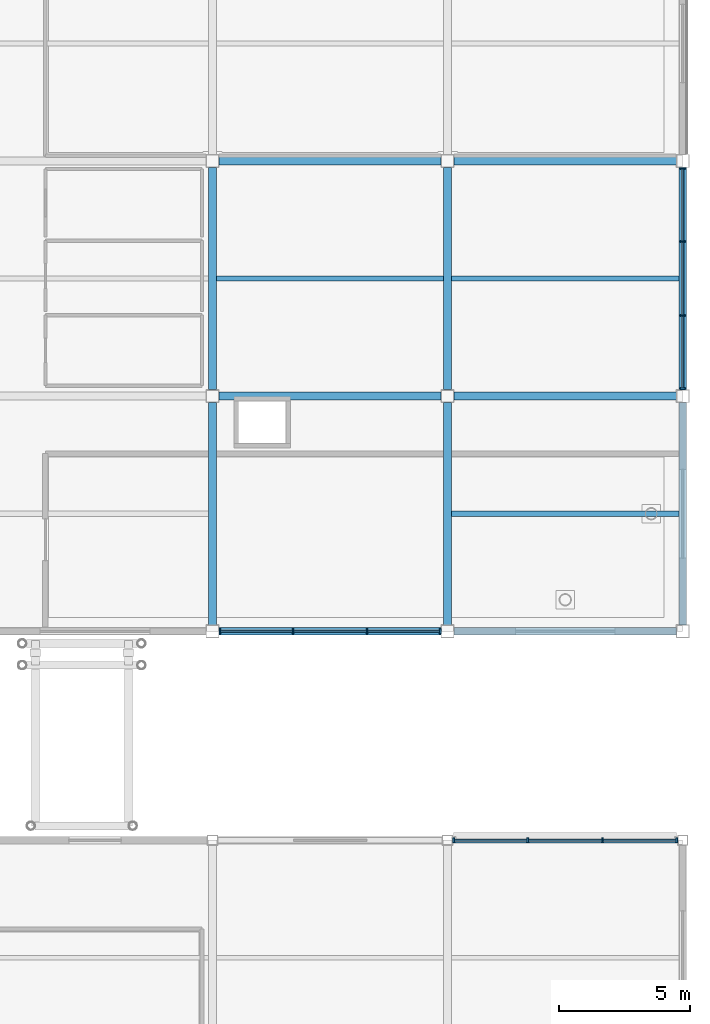
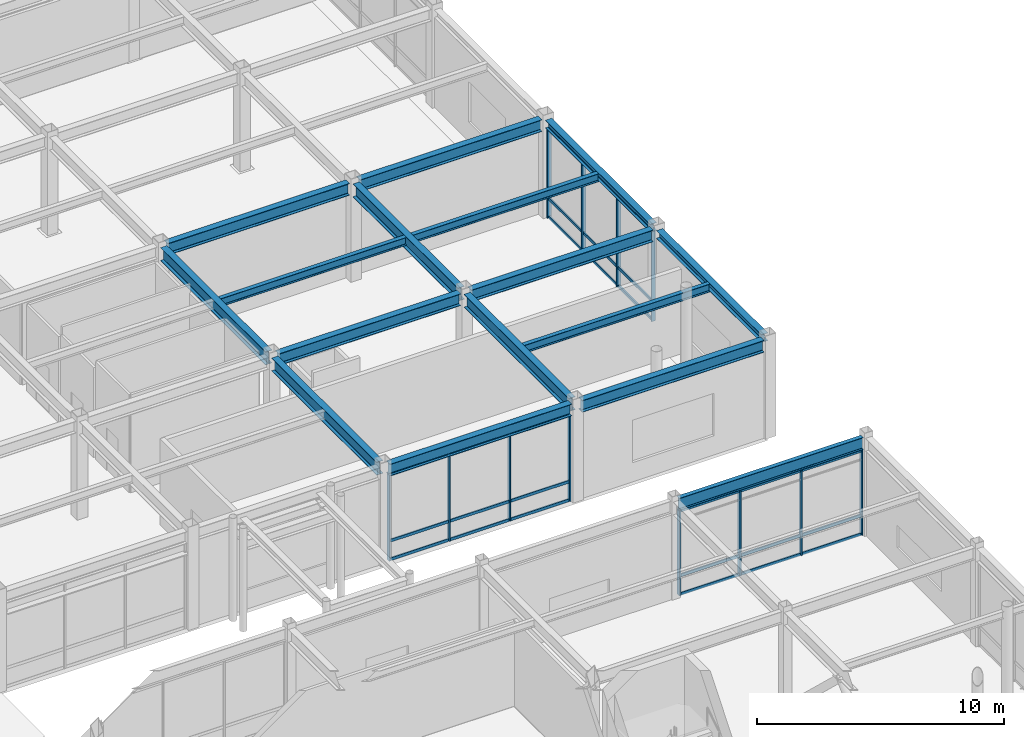
# One storey, part 59 of 123: 39 members, 16 beams, 3 elements without a shape of their own.
"""IFC4 building model written with IfcOpenShell, lengths in metres."""

import ifcopenshell
import ifcopenshell.guid

model = None  # the IFC model being written
_history = None  # IfcOwnerHistory: only IFC2X3 demands one
_inside = {}  # id of a spatial element -> (the spatial element, [elements in it])
_under = {}  # id of a project, library or spatial element -> (it, [spatial elements below it])
_declared = {}  # id of a project -> (the project, [libraries it declares])
_typed = {}  # id of a type object -> (the type object, [elements of that type])
_made_of = {}  # id of a material, layer set ... -> (it, [elements and type objects made of it])


def new_model(schema):
    """Start an empty IFC model of exactly this schema.

    Asked for "IFC4X3", IfcOpenShell would pick the latest addendum, in which some entities
    have other attributes; the version numbers below select the first issue.
    IFC2X3 requires an IfcOwnerHistory on every rooted entity: one is made here for all.
    """
    global model, _history
    if schema == "IFC4X3":
        model = ifcopenshell.file(schema_version=(4, 3, 0, 0))
    else:
        model = ifcopenshell.file(schema=schema)
    _inside.clear()
    _under.clear()
    _declared.clear()
    _typed.clear()
    _made_of.clear()
    _history = None
    if model.schema == "IFC2X3":
        org = make("IfcOrganization", Name="unknown")
        user = make(
            "IfcPersonAndOrganization",
            ThePerson=make("IfcPerson", FamilyName="unknown"),
            TheOrganization=org,
        )
        app = make(
            "IfcApplication",
            ApplicationDeveloper=org,
            Version="unknown",
            ApplicationFullName="unknown",
            ApplicationIdentifier="unknown",
        )
        _history = make(
            "IfcOwnerHistory",
            OwningUser=user,
            OwningApplication=app,
            ChangeAction="ADDED",
            CreationDate=0,
        )
    return model


def make(cls, **values):
    """One entity of the class cls with the attributes given. An attribute that is None is left unset."""
    return model.create_entity(
        cls, **{name: value for name, value in values.items() if value is not None}
    )


def rooted(cls, **values):
    """An entity with a GlobalId (a new one), such as an element, a storey or a relation."""
    return make(cls, GlobalId=ifcopenshell.guid.new(), OwnerHistory=_history, **values)


def si_unit(unit_type, name, prefix=None):
    """IfcSIUnit, for example si_unit("LENGTHUNIT", "METRE", prefix="MILLI")."""
    return make("IfcSIUnit", UnitType=unit_type, Prefix=prefix, Name=name)


def assignment(units):
    """IfcUnitAssignment: the units of a project."""
    return None if units is None else make("IfcUnitAssignment", Units=units)


def point(xyz):
    """IfcCartesianPoint."""
    return None if xyz is None else make("IfcCartesianPoint", Coordinates=xyz)


def direction(xyz):
    """IfcDirection."""
    return None if xyz is None else make("IfcDirection", DirectionRatios=xyz)


def frame(location, z_axis=None, x_axis=None):
    """IfcAxis2Placement3D, a coordinate frame: its origin and axes. An axis left out is left unset."""
    return make(
        "IfcAxis2Placement3D",
        Location=point(location),
        Axis=direction(z_axis),
        RefDirection=direction(x_axis),
    )


def frame_2d(location, x_axis=None):
    """IfcAxis2Placement2D, a coordinate frame in the plane: its origin and x axis."""
    return make(
        "IfcAxis2Placement2D", Location=point(location), RefDirection=direction(x_axis)
    )


def origin():
    """The frame at (0, 0, 0) with its axes left unset."""
    return frame((0.0, 0.0, 0.0))


def origin_2d():
    """The frame at (0, 0) in the plane with its x axis left unset."""
    return frame_2d((0.0, 0.0))


def place(relative_to, where):
    """IfcLocalPlacement: puts the frame where relative to a parent placement (None: the world)."""
    return make(
        "IfcLocalPlacement", PlacementRelTo=relative_to, RelativePlacement=where
    )


def context(
    kind, dimensions, precision=None, world=None, true_north=None, identifier=None
):
    """IfcGeometricRepresentationContext, for example the 3D "Model" context."""
    return make(
        "IfcGeometricRepresentationContext",
        ContextIdentifier=identifier,
        ContextType=kind,
        CoordinateSpaceDimension=dimensions,
        Precision=precision,
        WorldCoordinateSystem=world,
        TrueNorth=true_north,
    )


def subcontext(parent, identifier, kind, view, scale=None):
    """IfcGeometricRepresentationSubContext, for example "Body" below "Model"."""
    return make(
        "IfcGeometricRepresentationSubContext",
        ContextIdentifier=identifier,
        ContextType=kind,
        ParentContext=parent,
        TargetScale=scale,
        TargetView=view,
    )


def project(units=None, contexts=None):
    """IfcProject with its units and contexts."""
    return rooted(
        "IfcProject",
        Name="project",
        RepresentationContexts=contexts,
        UnitsInContext=assignment(units),
    )


def spatial(cls, under=None, at=None, **own):
    """A site, building, storey or space (cls), placed at a placement, below another one or the project."""
    s = rooted(cls, ObjectPlacement=at, **own)
    if under is not None:
        _under.setdefault(under.id(), (under, []))[1].append(s)
    return s


def profile(cls, at=None, kind="AREA", **sizes):
    """A parametric profile (cls). Its sizes go by their IFC names, for example OverallWidth=200.0."""
    return make(cls, ProfileType=kind, Position=at, **sizes)


def rectangle(**sizes):
    """IfcRectangleProfileDef."""
    return profile("IfcRectangleProfileDef", **sizes)


def i_section(**sizes):
    """IfcIShapeProfileDef."""
    return profile("IfcIShapeProfileDef", **sizes)


def extrude(swept, where, along, depth):
    """IfcExtrudedAreaSolid: the profile swept, set in the frame where, extruded along a direction by depth."""
    return make(
        "IfcExtrudedAreaSolid",
        SweptArea=swept,
        Position=where,
        ExtrudedDirection=direction(along),
        Depth=depth,
    )


def shape(context_of_items, identifier, shape_type, items):
    """IfcShapeRepresentation: the items that make up one representation, for example the "Body"."""
    return make(
        "IfcShapeRepresentation",
        ContextOfItems=context_of_items,
        RepresentationIdentifier=identifier,
        RepresentationType=shape_type,
        Items=items,
    )


def material(Name=None, Category=None):
    """IfcMaterial."""
    return make("IfcMaterial", Name=Name, Category=Category)


def material_profile(
    of_material, cross_section, Name=None, Category=None, Priority=None
):
    """IfcMaterialProfile: a cross section and its material."""
    return make(
        "IfcMaterialProfile",
        Name=Name,
        Material=of_material,
        Profile=cross_section,
        Priority=Priority,
        Category=Category,
    )


def profile_set(profiles, Name=None, composite=None):
    """IfcMaterialProfileSet."""
    return make(
        "IfcMaterialProfileSet",
        Name=Name,
        MaterialProfiles=profiles,
        CompositeProfile=composite,
    )


def made_of(thing, what):
    """Note that an element or type object is made of a material, layer set ...; save() writes the relation."""
    if what is not None:
        _made_of.setdefault(what.id(), (what, []))[1].append(thing)
    return thing


def type_object(cls, material=None, **own):
    """A type object (cls), such as IfcWallType, which elements share."""
    return made_of(rooted(cls, **own), material)


def element(
    cls,
    number,
    at=None,
    inside=None,
    cuts=None,
    type_object=None,
    material=None,
    context=None,
    identifier="Body",
    shape_type=None,
    held_by="IfcProductDefinitionShape",
    body=None,
    shapes=None,
    **own,
):
    """One element of the class cls, such as IfcWall. Its Tag is "e" and its number.

    at: its placement. inside: the storey or other place that contains it. cuts: it is an
    opening in that element (IfcRelVoidsElement). A single representation is given by context,
    identifier, shape_type and body (its items); several are given by shapes. held_by: the class
    of the entity that holds the representations. save() writes the other relations.
    """
    e = rooted(cls, Tag="e%d" % number, ObjectPlacement=at, **own)
    if body is not None:
        shapes = [shape(context, identifier, shape_type, body)]
    if shapes is not None:
        e.Representation = make(held_by, Representations=shapes)
    if inside is not None:
        _inside.setdefault(inside.id(), (inside, []))[1].append(e)
    if cuts is not None:
        rooted(
            "IfcRelVoidsElement", RelatingBuildingElement=cuts, RelatedOpeningElement=e
        )
    if type_object is not None:
        _typed.setdefault(type_object.id(), (type_object, []))[1].append(e)
    return made_of(e, material)


def aggregate(whole, parts):
    """IfcRelAggregates: a whole, such as a stair, and the parts it consists of."""
    return rooted("IfcRelAggregates", RelatingObject=whole, RelatedObjects=parts)


def save(model, path):
    """Write the relations noted so far, then the file.

    IfcRelAggregates (storeys below a building ...), IfcRelContainedInSpatialStructure (elements
    in a storey), IfcRelDefinesByType, IfcRelAssociatesMaterial and IfcRelDeclares: one each for
    every whole, place, type object, material and project.
    """
    for whole, parts in _under.values():
        aggregate(whole, parts)
    for where, things in _inside.values():
        rooted(
            "IfcRelContainedInSpatialStructure",
            RelatedElements=things,
            RelatingStructure=where,
        )
    for kind, things in _typed.values():
        rooted("IfcRelDefinesByType", RelatedObjects=things, RelatingType=kind)
    for what, things in _made_of.values():
        rooted("IfcRelAssociatesMaterial", RelatedObjects=things, RelatingMaterial=what)
    for by, libraries in _declared.values():
        rooted("IfcRelDeclares", RelatingContext=by, RelatedDefinitions=libraries)
    model.write(path)


model = new_model("IFC4")

# Units and contexts
model_context = context("Model", 3, precision=1e-05, world=origin(), true_north=direction((0.0, 1.0)))
body_context = subcontext(model_context, "Body", "Model", "MODEL_VIEW")
ifc_project = project(units=[si_unit("LENGTHUNIT", "METRE"), si_unit("AREAUNIT", "SQUARE_METRE"), si_unit("VOLUMEUNIT", "CUBIC_METRE"), si_unit("PLANEANGLEUNIT", "RADIAN"), si_unit("MASSUNIT", "GRAM", prefix="KILO")], contexts=[model_context])

# Site, building, storey
site_placement = place(None, origin())
site = spatial("IfcSite", under=ifc_project, at=site_placement, CompositionType="ELEMENT")
building_placement = place(site_placement, origin())
building = spatial("IfcBuilding", under=site, at=building_placement, Name="Suzunagisa Mobility Hub", CompositionType="ELEMENT")
storey_placement = place(building_placement, origin())
storey = spatial("IfcBuildingStorey", under=building, at=storey_placement, Name="L00", CompositionType="ELEMENT", Elevation=0.0)

# Curtain wall, members
ifc_material_1 = material(Name="Thermally Broken Anodized Aluminum and Low-E Glazing", Category="aluminium")
curtain_wall_type_1 = type_object("IfcCurtainWallType", Name="Unitised Curtain Wall CW-32 8500x4200", PredefinedType="USERDEFINED", material=ifc_material_1)
curtain_wall_1_placement = place(storey_placement, origin())
curtain_wall_1 = element("IfcCurtainWall", 1, at=curtain_wall_1_placement, inside=storey, type_object=curtain_wall_type_1, Name="L00 Unitised Curtain Wall CW-147", ObjectType="UNITISED CURTAIN WALL", PredefinedType="USERDEFINED")
ifc_material_2 = material(Name="Anodized Aluminum 6063-T6", Category="aluminium")
ifc_material_profile_1 = material_profile(ifc_material_2, rectangle(XDim=0.06494140625, YDim=0.139892578125, at=origin_2d()), Name="TRAN-65x140")
ifc_profile_set_1 = profile_set([ifc_material_profile_1], Name="Anodized Aluminum 6063-T6")
member_type_1 = type_object("IfcMemberType", Name="Curtain Wall Framing CM-01 TRAN-65x140", PredefinedType="USERDEFINED", material=ifc_profile_set_1)
member_1_placement = place(storey_placement, frame((179.737060546875, 36.0, 0.032470703125), z_axis=(-1.0, 0.0, 0.0), x_axis=(0.0, -1.0, 0.0)))
member_1 = element("IfcMember", 2, at=member_1_placement, type_object=member_type_1, Name="Curtain Wall Transom 147-T1.1", ObjectType="TRANSOM", PredefinedType="USERDEFINED", context=body_context, shape_type="SweptSolid", body=[
    extrude(rectangle(XDim=0.06494140625, YDim=0.139892578125, at=origin_2d()), origin(), (0.0, 0.0, 1.0), 2.773193359375),
])
member_2_placement = place(storey_placement, frame((179.737060546875, 36.0, 0.949951171875), z_axis=(-1.0, 0.0, 0.0), x_axis=(0.0, -1.0, 0.0)))
member_2 = element("IfcMember", 3, at=member_2_placement, type_object=member_type_1, Name="Curtain Wall Transom 147-T1.2", ObjectType="TRANSOM", PredefinedType="USERDEFINED", context=body_context, shape_type="SweptSolid", body=[
    extrude(rectangle(XDim=0.06494140625, YDim=0.139892578125, at=origin_2d()), origin(), (0.0, 0.0, 1.0), 2.773193359375),
])
member_3_placement = place(storey_placement, frame((179.737060546875, 36.0, 4.157470703125), z_axis=(-1.0, 0.0, 0.0), x_axis=(0.0, -1.0, 0.0)))
member_3 = element("IfcMember", 4, at=member_3_placement, type_object=member_type_1, Name="Curtain Wall Transom 147-T1.3", ObjectType="TRANSOM", PredefinedType="USERDEFINED", context=body_context, shape_type="SweptSolid", body=[
    extrude(rectangle(XDim=0.06494140625, YDim=0.139892578125, at=origin_2d()), origin(), (0.0, 0.0, 1.0), 2.773193359375),
])
member_4_placement = place(storey_placement, frame((176.90283203125, 36.0, 0.032470703125), z_axis=(-1.0, 0.0, 0.0), x_axis=(0.0, -1.0, 0.0)))
member_4 = element("IfcMember", 5, at=member_4_placement, type_object=member_type_1, Name="Curtain Wall Transom 147-T2.1", ObjectType="TRANSOM", PredefinedType="USERDEFINED", context=body_context, shape_type="SweptSolid", body=[
    extrude(rectangle(XDim=0.06494140625, YDim=0.139892578125, at=origin_2d()), origin(), (0.0, 0.0, 1.0), 2.8056640625),
])
member_5_placement = place(storey_placement, frame((176.90283203125, 36.0, 0.949951171875), z_axis=(-1.0, 0.0, 0.0), x_axis=(0.0, -1.0, 0.0)))
member_5 = element("IfcMember", 6, at=member_5_placement, type_object=member_type_1, Name="Curtain Wall Transom 147-T2.2", ObjectType="TRANSOM", PredefinedType="USERDEFINED", context=body_context, shape_type="SweptSolid", body=[
    extrude(rectangle(XDim=0.06494140625, YDim=0.139892578125, at=origin_2d()), origin(), (0.0, 0.0, 1.0), 2.8056640625),
])
member_6_placement = place(storey_placement, frame((176.90283203125, 36.0, 4.157470703125), z_axis=(-1.0, 0.0, 0.0), x_axis=(0.0, -1.0, 0.0)))
member_6 = element("IfcMember", 7, at=member_6_placement, type_object=member_type_1, Name="Curtain Wall Transom 147-T2.3", ObjectType="TRANSOM", PredefinedType="USERDEFINED", context=body_context, shape_type="SweptSolid", body=[
    extrude(rectangle(XDim=0.06494140625, YDim=0.139892578125, at=origin_2d()), origin(), (0.0, 0.0, 1.0), 2.8056640625),
])
member_7_placement = place(storey_placement, frame((174.0361328125, 36.0, 0.032470703125), z_axis=(-1.0, 0.0, 0.0), x_axis=(0.0, -1.0, 0.0)))
member_7 = element("IfcMember", 8, at=member_7_placement, type_object=member_type_1, Name="Curtain Wall Transom 147-T3.1", ObjectType="TRANSOM", PredefinedType="USERDEFINED", context=body_context, shape_type="SweptSolid", body=[
    extrude(rectangle(XDim=0.06494140625, YDim=0.139892578125, at=origin_2d()), origin(), (0.0, 0.0, 1.0), 2.773193359375),
])
member_8_placement = place(storey_placement, frame((174.0361328125, 36.0, 0.949951171875), z_axis=(-1.0, 0.0, 0.0), x_axis=(0.0, -1.0, 0.0)))
member_8 = element("IfcMember", 9, at=member_8_placement, type_object=member_type_1, Name="Curtain Wall Transom 147-T3.2", ObjectType="TRANSOM", PredefinedType="USERDEFINED", context=body_context, shape_type="SweptSolid", body=[
    extrude(rectangle(XDim=0.06494140625, YDim=0.139892578125, at=origin_2d()), origin(), (0.0, 0.0, 1.0), 2.773193359375),
])
member_9_placement = place(storey_placement, frame((174.0361328125, 36.0, 4.157470703125), z_axis=(-1.0, 0.0, 0.0), x_axis=(0.0, -1.0, 0.0)))
member_9 = element("IfcMember", 10, at=member_9_placement, type_object=member_type_1, Name="Curtain Wall Transom 147-T3.3", ObjectType="TRANSOM", PredefinedType="USERDEFINED", context=body_context, shape_type="SweptSolid", body=[
    extrude(rectangle(XDim=0.06494140625, YDim=0.139892578125, at=origin_2d()), origin(), (0.0, 0.0, 1.0), 2.773193359375),
])

curtain_wall_type_2 = type_object("IfcCurtainWallType", Name="Unitised Curtain Wall CW-21 8500x4300", PredefinedType="USERDEFINED", material=ifc_material_1)
curtain_wall_2_placement = place(storey_placement, origin())
curtain_wall_2 = element("IfcCurtainWall", 11, at=curtain_wall_2_placement, inside=storey, type_object=curtain_wall_type_2, Name="L00 Unitised Curtain Wall CW-172", ObjectType="UNITISED CURTAIN WALL", PredefinedType="USERDEFINED")
member_10_placement = place(storey_placement, frame((162.31298828125, 44.0, 0.032470703125), z_axis=(1.0, 0.0, 0.0), x_axis=(0.0, 1.0, 0.0)))
member_10 = element("IfcMember", 12, at=member_10_placement, type_object=member_type_1, Name="Curtain Wall Transom 172-T1.1", ObjectType="TRANSOM", PredefinedType="USERDEFINED", context=body_context, shape_type="SweptSolid", body=[
    extrude(rectangle(XDim=0.06494140625, YDim=0.139892578125, at=origin_2d()), origin(), (0.0, 0.0, 1.0), 2.73974609375),
])
member_11_placement = place(storey_placement, frame((162.31298828125, 44.0, 0.949951171875), z_axis=(1.0, 0.0, 0.0), x_axis=(0.0, 1.0, 0.0)))
member_11 = element("IfcMember", 13, at=member_11_placement, type_object=member_type_1, Name="Curtain Wall Transom 172-T1.2", ObjectType="TRANSOM", PredefinedType="USERDEFINED", context=body_context, shape_type="SweptSolid", body=[
    extrude(rectangle(XDim=0.06494140625, YDim=0.139892578125, at=origin_2d()), origin(), (0.0, 0.0, 1.0), 2.73974609375),
])
member_12_placement = place(storey_placement, frame((162.31298828125, 44.0, 4.219482421875), z_axis=(1.0, 0.0, 0.0), x_axis=(0.0, 1.0, 0.0)))
member_12 = element("IfcMember", 14, at=member_12_placement, type_object=member_type_1, Name="Curtain Wall Transom 172-T1.3", ObjectType="TRANSOM", PredefinedType="USERDEFINED", context=body_context, shape_type="SweptSolid", body=[
    extrude(rectangle(XDim=0.06494140625, YDim=0.139892578125, at=origin_2d()), origin(), (0.0, 0.0, 1.0), 2.73974609375),
])
member_13_placement = place(storey_placement, frame((165.11376953125, 44.0, 0.032470703125), z_axis=(1.0, 0.0, 0.0), x_axis=(0.0, 1.0, 0.0)))
member_13 = element("IfcMember", 15, at=member_13_placement, type_object=member_type_1, Name="Curtain Wall Transom 172-T2.1", ObjectType="TRANSOM", PredefinedType="USERDEFINED", context=body_context, shape_type="SweptSolid", body=[
    extrude(rectangle(XDim=0.06494140625, YDim=0.139892578125, at=origin_2d()), origin(), (0.0, 0.0, 1.0), 2.7724609375),
])
member_14_placement = place(storey_placement, frame((165.11376953125, 44.0, 0.949951171875), z_axis=(1.0, 0.0, 0.0), x_axis=(0.0, 1.0, 0.0)))
member_14 = element("IfcMember", 16, at=member_14_placement, type_object=member_type_1, Name="Curtain Wall Transom 172-T2.2", ObjectType="TRANSOM", PredefinedType="USERDEFINED", context=body_context, shape_type="SweptSolid", body=[
    extrude(rectangle(XDim=0.06494140625, YDim=0.139892578125, at=origin_2d()), origin(), (0.0, 0.0, 1.0), 2.7724609375),
])
member_15_placement = place(storey_placement, frame((165.11376953125, 44.0, 4.219482421875), z_axis=(1.0, 0.0, 0.0), x_axis=(0.0, 1.0, 0.0)))
member_15 = element("IfcMember", 17, at=member_15_placement, type_object=member_type_1, Name="Curtain Wall Transom 172-T2.3", ObjectType="TRANSOM", PredefinedType="USERDEFINED", context=body_context, shape_type="SweptSolid", body=[
    extrude(rectangle(XDim=0.06494140625, YDim=0.139892578125, at=origin_2d()), origin(), (0.0, 0.0, 1.0), 2.7724609375),
])
member_16_placement = place(storey_placement, frame((167.947265625, 44.0, 0.032470703125), z_axis=(1.0, 0.0, 0.0), x_axis=(0.0, 1.0, 0.0)))
member_16 = element("IfcMember", 18, at=member_16_placement, type_object=member_type_1, Name="Curtain Wall Transom 172-T3.1", ObjectType="TRANSOM", PredefinedType="USERDEFINED", context=body_context, shape_type="SweptSolid", body=[
    extrude(rectangle(XDim=0.06494140625, YDim=0.139892578125, at=origin_2d()), origin(), (0.0, 0.0, 1.0), 2.73974609375),
])
member_17_placement = place(storey_placement, frame((167.947265625, 44.0, 0.949951171875), z_axis=(1.0, 0.0, 0.0), x_axis=(0.0, 1.0, 0.0)))
member_17 = element("IfcMember", 19, at=member_17_placement, type_object=member_type_1, Name="Curtain Wall Transom 172-T3.2", ObjectType="TRANSOM", PredefinedType="USERDEFINED", context=body_context, shape_type="SweptSolid", body=[
    extrude(rectangle(XDim=0.06494140625, YDim=0.139892578125, at=origin_2d()), origin(), (0.0, 0.0, 1.0), 2.73974609375),
])
member_18_placement = place(storey_placement, frame((167.947265625, 44.0, 4.219482421875), z_axis=(1.0, 0.0, 0.0), x_axis=(0.0, 1.0, 0.0)))
member_18 = element("IfcMember", 20, at=member_18_placement, type_object=member_type_1, Name="Curtain Wall Transom 172-T3.3", ObjectType="TRANSOM", PredefinedType="USERDEFINED", context=body_context, shape_type="SweptSolid", body=[
    extrude(rectangle(XDim=0.06494140625, YDim=0.139892578125, at=origin_2d()), origin(), (0.0, 0.0, 1.0), 2.73974609375),
])

curtain_wall_type_3 = type_object("IfcCurtainWallType", Name="Unitised Curtain Wall CW-47 8500x4400", PredefinedType="USERDEFINED", material=ifc_material_1)
curtain_wall_3_placement = place(storey_placement, origin())
curtain_wall_3 = element("IfcCurtainWall", 21, at=curtain_wall_3_placement, inside=storey, type_object=curtain_wall_type_3, Name="L00 Unitised Curtain Wall CW-173", ObjectType="UNITISED CURTAIN WALL", PredefinedType="USERDEFINED")
member_19_placement = place(storey_placement, frame((180.0, 53.31298828125, 0.032470703125), z_axis=(0.0, 1.0, 0.0), x_axis=(-1.0, 0.0, 0.0)))
member_19 = element("IfcMember", 22, at=member_19_placement, type_object=member_type_1, Name="Curtain Wall Transom 173-T1.1", ObjectType="TRANSOM", PredefinedType="USERDEFINED", context=body_context, shape_type="SweptSolid", body=[
    extrude(rectangle(XDim=0.06494140625, YDim=0.139892578125, at=origin_2d()), origin(), (0.0, 0.0, 1.0), 2.73974609375),
])
member_20_placement = place(storey_placement, frame((180.0, 53.31298828125, 0.949951171875), z_axis=(0.0, 1.0, 0.0), x_axis=(-1.0, 0.0, 0.0)))
member_20 = element("IfcMember", 23, at=member_20_placement, type_object=member_type_1, Name="Curtain Wall Transom 173-T1.2", ObjectType="TRANSOM", PredefinedType="USERDEFINED", context=body_context, shape_type="SweptSolid", body=[
    extrude(rectangle(XDim=0.06494140625, YDim=0.139892578125, at=origin_2d()), origin(), (0.0, 0.0, 1.0), 2.73974609375),
])
member_21_placement = place(storey_placement, frame((180.0, 53.31298828125, 4.407470703125), z_axis=(0.0, 1.0, 0.0), x_axis=(-1.0, 0.0, 0.0)))
member_21 = element("IfcMember", 24, at=member_21_placement, type_object=member_type_1, Name="Curtain Wall Transom 173-T1.3", ObjectType="TRANSOM", PredefinedType="USERDEFINED", context=body_context, shape_type="SweptSolid", body=[
    extrude(rectangle(XDim=0.06494140625, YDim=0.139892578125, at=origin_2d()), origin(), (0.0, 0.0, 1.0), 2.73974609375),
])
member_22_placement = place(storey_placement, frame((180.0, 56.11376953125, 0.032470703125), z_axis=(0.0, 1.0, 0.0), x_axis=(-1.0, 0.0, 0.0)))
member_22 = element("IfcMember", 25, at=member_22_placement, type_object=member_type_1, Name="Curtain Wall Transom 173-T2.1", ObjectType="TRANSOM", PredefinedType="USERDEFINED", context=body_context, shape_type="SweptSolid", body=[
    extrude(rectangle(XDim=0.06494140625, YDim=0.139892578125, at=origin_2d()), origin(), (0.0, 0.0, 1.0), 2.7724609375),
])
member_23_placement = place(storey_placement, frame((180.0, 56.11376953125, 0.949951171875), z_axis=(0.0, 1.0, 0.0), x_axis=(-1.0, 0.0, 0.0)))
member_23 = element("IfcMember", 26, at=member_23_placement, type_object=member_type_1, Name="Curtain Wall Transom 173-T2.2", ObjectType="TRANSOM", PredefinedType="USERDEFINED", context=body_context, shape_type="SweptSolid", body=[
    extrude(rectangle(XDim=0.06494140625, YDim=0.139892578125, at=origin_2d()), origin(), (0.0, 0.0, 1.0), 2.7724609375),
])
member_24_placement = place(storey_placement, frame((180.0, 56.11376953125, 4.407470703125), z_axis=(0.0, 1.0, 0.0), x_axis=(-1.0, 0.0, 0.0)))
member_24 = element("IfcMember", 27, at=member_24_placement, type_object=member_type_1, Name="Curtain Wall Transom 173-T2.3", ObjectType="TRANSOM", PredefinedType="USERDEFINED", context=body_context, shape_type="SweptSolid", body=[
    extrude(rectangle(XDim=0.06494140625, YDim=0.139892578125, at=origin_2d()), origin(), (0.0, 0.0, 1.0), 2.7724609375),
])
member_25_placement = place(storey_placement, frame((180.0, 58.947265625, 0.032470703125), z_axis=(0.0, 1.0, 0.0), x_axis=(-1.0, 0.0, 0.0)))
member_25 = element("IfcMember", 28, at=member_25_placement, type_object=member_type_1, Name="Curtain Wall Transom 173-T3.1", ObjectType="TRANSOM", PredefinedType="USERDEFINED", context=body_context, shape_type="SweptSolid", body=[
    extrude(rectangle(XDim=0.06494140625, YDim=0.139892578125, at=origin_2d()), origin(), (0.0, 0.0, 1.0), 2.73974609375),
])
member_26_placement = place(storey_placement, frame((180.0, 58.947265625, 0.949951171875), z_axis=(0.0, 1.0, 0.0), x_axis=(-1.0, 0.0, 0.0)))
member_26 = element("IfcMember", 29, at=member_26_placement, type_object=member_type_1, Name="Curtain Wall Transom 173-T3.2", ObjectType="TRANSOM", PredefinedType="USERDEFINED", context=body_context, shape_type="SweptSolid", body=[
    extrude(rectangle(XDim=0.06494140625, YDim=0.139892578125, at=origin_2d()), origin(), (0.0, 0.0, 1.0), 2.73974609375),
])
member_27_placement = place(storey_placement, frame((180.0, 58.947265625, 4.407470703125), z_axis=(0.0, 1.0, 0.0), x_axis=(-1.0, 0.0, 0.0)))
member_27 = element("IfcMember", 30, at=member_27_placement, type_object=member_type_1, Name="Curtain Wall Transom 173-T3.3", ObjectType="TRANSOM", PredefinedType="USERDEFINED", context=body_context, shape_type="SweptSolid", body=[
    extrude(rectangle(XDim=0.06494140625, YDim=0.139892578125, at=origin_2d()), origin(), (0.0, 0.0, 1.0), 2.73974609375),
])

# Member
ifc_material_profile_2 = material_profile(ifc_material_2, rectangle(XDim=0.06494140625, YDim=0.179931640625, at=origin_2d()), Name="MULL-65x180")
ifc_profile_set_2 = profile_set([ifc_material_profile_2], Name="Anodized Aluminum 6063-T6")
member_type_2 = type_object("IfcMemberType", Name="Curtain Wall Framing CM-04 MULL-65x180", PredefinedType="MULLION", material=ifc_profile_set_2)
member_28_placement = place(storey_placement, frame((179.767578125, 36.0, 0.0), z_axis=(0.0, 0.0, 1.0), x_axis=(-1.0, 0.0, 0.0)))
member_28 = element("IfcMember", 31, at=member_28_placement, type_object=member_type_2, Name="Curtain Wall Mullion 147-M1", PredefinedType="MULLION", context=body_context, shape_type="SweptSolid", body=[
    extrude(rectangle(XDim=0.06494140625, YDim=0.179931640625, at=origin_2d()), origin(), (0.0, 0.0, 1.0), 4.18994140625),
])

member_29_placement = place(storey_placement, frame((176.933349609375, 36.0, 0.0), z_axis=(0.0, 0.0, 1.0), x_axis=(-1.0, 0.0, 0.0)))
member_29 = element("IfcMember", 32, at=member_29_placement, type_object=member_type_2, Name="Curtain Wall Mullion 147-M2", PredefinedType="MULLION", context=body_context, shape_type="SweptSolid", body=[
    extrude(rectangle(XDim=0.06494140625, YDim=0.179931640625, at=origin_2d()), origin(), (0.0, 0.0, 1.0), 4.18994140625),
])

member_30_placement = place(storey_placement, frame((174.066650390625, 36.0, 0.0), z_axis=(0.0, 0.0, 1.0), x_axis=(-1.0, 0.0, 0.0)))
member_30 = element("IfcMember", 33, at=member_30_placement, type_object=member_type_2, Name="Curtain Wall Mullion 147-M3", PredefinedType="MULLION", context=body_context, shape_type="SweptSolid", body=[
    extrude(rectangle(XDim=0.06494140625, YDim=0.179931640625, at=origin_2d()), origin(), (0.0, 0.0, 1.0), 4.18994140625),
])

member_31_placement = place(storey_placement, frame((171.232421875, 36.0, 0.0), z_axis=(0.0, 0.0, 1.0), x_axis=(-1.0, 0.0, 0.0)))
member_31 = element("IfcMember", 34, at=member_31_placement, type_object=member_type_2, Name="Curtain Wall Mullion 147-M4", PredefinedType="MULLION", context=body_context, shape_type="SweptSolid", body=[
    extrude(rectangle(XDim=0.06494140625, YDim=0.179931640625, at=origin_2d()), origin(), (0.0, 0.0, 1.0), 4.18994140625),
])

aggregate(curtain_wall_1, [member_28, member_29, member_30, member_31, member_1, member_2, member_3, member_4, member_5, member_6, member_7, member_8, member_9])

member_32_placement = place(storey_placement, frame((162.282470703125, 44.0, 0.0), z_axis=(0.0, 0.0, 1.0), x_axis=(1.0, 0.0, 0.0)))
member_32 = element("IfcMember", 35, at=member_32_placement, type_object=member_type_2, Name="Curtain Wall Mullion 172-M1", PredefinedType="MULLION", context=body_context, shape_type="SweptSolid", body=[
    extrude(rectangle(XDim=0.06494140625, YDim=0.179931640625, at=origin_2d()), origin(), (0.0, 0.0, 1.0), 4.251953125),
])

member_33_placement = place(storey_placement, frame((165.083251953125, 44.0, 0.0), z_axis=(0.0, 0.0, 1.0), x_axis=(1.0, 0.0, 0.0)))
member_33 = element("IfcMember", 36, at=member_33_placement, type_object=member_type_2, Name="Curtain Wall Mullion 172-M2", PredefinedType="MULLION", context=body_context, shape_type="SweptSolid", body=[
    extrude(rectangle(XDim=0.06494140625, YDim=0.179931640625, at=origin_2d()), origin(), (0.0, 0.0, 1.0), 4.251953125),
])

member_34_placement = place(storey_placement, frame((167.916748046875, 44.0, 0.0), z_axis=(0.0, 0.0, 1.0), x_axis=(1.0, 0.0, 0.0)))
member_34 = element("IfcMember", 37, at=member_34_placement, type_object=member_type_2, Name="Curtain Wall Mullion 172-M3", PredefinedType="MULLION", context=body_context, shape_type="SweptSolid", body=[
    extrude(rectangle(XDim=0.06494140625, YDim=0.179931640625, at=origin_2d()), origin(), (0.0, 0.0, 1.0), 4.251953125),
])

member_35_placement = place(storey_placement, frame((170.717529296875, 44.0, 0.0), z_axis=(0.0, 0.0, 1.0), x_axis=(1.0, 0.0, 0.0)))
member_35 = element("IfcMember", 38, at=member_35_placement, type_object=member_type_2, Name="Curtain Wall Mullion 172-M4", PredefinedType="MULLION", context=body_context, shape_type="SweptSolid", body=[
    extrude(rectangle(XDim=0.06494140625, YDim=0.179931640625, at=origin_2d()), origin(), (0.0, 0.0, 1.0), 4.251953125),
])

aggregate(curtain_wall_2, [member_32, member_33, member_34, member_35, member_10, member_11, member_12, member_13, member_14, member_15, member_16, member_17, member_18])

member_36_placement = place(storey_placement, frame((180.0, 53.282470703125, 0.0), z_axis=(0.0, 0.0, 1.0), x_axis=(0.0, 1.0, 0.0)))
member_36 = element("IfcMember", 39, at=member_36_placement, type_object=member_type_2, Name="Curtain Wall Mullion 173-M1", PredefinedType="MULLION", context=body_context, shape_type="SweptSolid", body=[
    extrude(rectangle(XDim=0.06494140625, YDim=0.179931640625, at=origin_2d()), origin(), (0.0, 0.0, 1.0), 4.43994140625),
])

member_37_placement = place(storey_placement, frame((180.0, 56.083251953125, 0.0), z_axis=(0.0, 0.0, 1.0), x_axis=(0.0, 1.0, 0.0)))
member_37 = element("IfcMember", 40, at=member_37_placement, type_object=member_type_2, Name="Curtain Wall Mullion 173-M2", PredefinedType="MULLION", context=body_context, shape_type="SweptSolid", body=[
    extrude(rectangle(XDim=0.06494140625, YDim=0.179931640625, at=origin_2d()), origin(), (0.0, 0.0, 1.0), 4.43994140625),
])

member_38_placement = place(storey_placement, frame((180.0, 58.916748046875, 0.0), z_axis=(0.0, 0.0, 1.0), x_axis=(0.0, 1.0, 0.0)))
member_38 = element("IfcMember", 41, at=member_38_placement, type_object=member_type_2, Name="Curtain Wall Mullion 173-M3", PredefinedType="MULLION", context=body_context, shape_type="SweptSolid", body=[
    extrude(rectangle(XDim=0.06494140625, YDim=0.179931640625, at=origin_2d()), origin(), (0.0, 0.0, 1.0), 4.43994140625),
])

member_39_placement = place(storey_placement, frame((180.0, 61.717529296875, 0.0), z_axis=(0.0, 0.0, 1.0), x_axis=(0.0, 1.0, 0.0)))
member_39 = element("IfcMember", 42, at=member_39_placement, type_object=member_type_2, Name="Curtain Wall Mullion 173-M4", PredefinedType="MULLION", context=body_context, shape_type="SweptSolid", body=[
    extrude(rectangle(XDim=0.06494140625, YDim=0.179931640625, at=origin_2d()), origin(), (0.0, 0.0, 1.0), 4.43994140625),
])

aggregate(curtain_wall_3, [member_36, member_37, member_38, member_39, member_19, member_20, member_21, member_22, member_23, member_24, member_25, member_26, member_27])

# Beams
ifc_material_3 = material(Name="Steel SN490B", Category="steel")
ifc_material_profile_3 = material_profile(ifc_material_3, i_section(OverallWidth=0.199951171875, OverallDepth=0.60009765625, WebThickness=0.010986328125, FlangeThickness=0.01708984375, FilletRadius=0.012939453125, at=origin_2d()), Name="H-600x200x11x17")
ifc_profile_set_3 = profile_set([ifc_material_profile_3], Name="Steel SN490B")
beam_type_1 = type_object("IfcBeamType", Name="Steel Beam BM-07 H-600x200x11x17", PredefinedType="BEAM", material=ifc_profile_set_3)
beam_placement = place(storey_placement, frame((171.196044921875, 36.0, 4.5400390625), z_axis=(1.0, 0.0, 0.0), x_axis=(0.0, 1.0, 0.0)))
element("IfcBeam", 43, at=beam_placement, inside=storey, type_object=beam_type_1, Name="L00 Primary Girder GX-1415", PredefinedType="BEAM", context=body_context, shape_type="SweptSolid", body=[
    extrude(i_section(OverallWidth=0.199951171875, OverallDepth=0.60009765625, WebThickness=0.010986328125, FlangeThickness=0.01708984375, FilletRadius=0.012939453125, at=origin_2d()), origin(), (0.0, 0.0, 1.0), 8.60791015625),
])
ifc_material_profile_4 = material_profile(ifc_material_3, i_section(OverallWidth=0.300048828125, OverallDepth=0.64990234375, WebThickness=0.012939453125, FlangeThickness=0.02197265625, FilletRadius=0.01611328125, at=origin_2d()), Name="H-650x300x13x22")
ifc_profile_set_4 = profile_set([ifc_material_profile_4], Name="Steel SN490B")
beam_type_2 = type_object("IfcBeamType", Name="Steel Beam BM-10 H-650x300x13x22", PredefinedType="BEAM", material=ifc_profile_set_4)
for number, where, z_axis, x_axis, name in (
    (44, (162.0, 44.24609375, 4.514892578125), (0.0, 1.0, 0.0), (-1.0, 0.0, 0.0), "L00 Primary Girder GY-1751"),
    (45, (162.0, 53.24609375, 4.514892578125), (0.0, 1.0, 0.0), (-1.0, 0.0, 0.0), "L00 Primary Girder GY-1752"),
    (46, (171.0, 44.24609375, 4.514892578125), (0.0, 1.0, 0.0), (-1.0, 0.0, 0.0), "L00 Primary Girder GY-1758"),
    (47, (171.0, 53.24609375, 4.514892578125), (0.0, 1.0, 0.0), (-1.0, 0.0, 0.0), "L00 Primary Girder GY-1759"),
):
    element("IfcBeam", number, at=place(storey_placement, frame(where, z_axis=z_axis, x_axis=x_axis)), inside=storey, type_object=beam_type_2, Name=name, PredefinedType="BEAM", context=body_context, shape_type="SweptSolid", body=[
        extrude(i_section(OverallWidth=0.300048828125, OverallDepth=0.64990234375, WebThickness=0.012939453125, FlangeThickness=0.02197265625, FilletRadius=0.01611328125, at=origin_2d()), origin(), (0.0, 0.0, 1.0), 8.5078125),
    ])
ifc_material_profile_5 = material_profile(ifc_material_3, i_section(OverallWidth=0.300048828125, OverallDepth=0.389892578125, WebThickness=0.010009765625, FlangeThickness=0.01611328125, FilletRadius=0.012939453125, at=origin_2d()), Name="H-390x300x10x16")
ifc_profile_set_5 = profile_set([ifc_material_profile_5], Name="Steel SN490B")
beam_type_3 = type_object("IfcBeamType", Name="Steel Beam BM-13 H-390x300x10x16", PredefinedType="SPANDREL", material=ifc_profile_set_5)
for number, where, z_axis, x_axis, name in (
    (48, (180.0, 44.24609375, 4.64501953125), (0.0, 1.0, 0.0), (-1.0, 0.0, 0.0), "L00 Primary Girder GY-1765"),
    (49, (180.0, 53.24609375, 4.64501953125), (0.0, 1.0, 0.0), (-1.0, 0.0, 0.0), "L00 Primary Girder GY-1766"),
):
    element("IfcBeam", number, at=place(storey_placement, frame(where, z_axis=z_axis, x_axis=x_axis)), inside=storey, type_object=beam_type_3, Name=name, PredefinedType="SPANDREL", context=body_context, shape_type="SweptSolid", body=[
        extrude(i_section(OverallWidth=0.300048828125, OverallDepth=0.389892578125, WebThickness=0.010009765625, FlangeThickness=0.01611328125, FilletRadius=0.012939453125, at=origin_2d()), origin(), (0.0, 0.0, 1.0), 8.5078125),
    ])
ifc_material_4 = material(Name="Steel SN400B", Category="steel")
ifc_material_profile_6 = material_profile(ifc_material_4, i_section(OverallWidth=0.199951171875, OverallDepth=0.39990234375, WebThickness=0.008056640625, FlangeThickness=0.012939453125, FilletRadius=0.012939453125, at=origin_2d()), Name="H-400x200x8x13")
ifc_profile_set_6 = profile_set([ifc_material_profile_6], Name="Steel SN400B")
beam_type_4 = type_object("IfcBeamType", Name="Steel Beam BM-14 H-400x200x8x13", PredefinedType="JOIST", material=ifc_profile_set_6)
for number, where, z_axis, x_axis, name in (
    (50, (162.14990234375, 57.5, 4.639892578125), (1.0, 0.0, 0.0), (0.0, 1.0, 0.0), "L00 Composite Floor Joist J-1783"),
    (51, (171.14990234375, 48.5, 4.639892578125), (1.0, 0.0, 0.0), (0.0, 1.0, 0.0), "L00 Composite Floor Joist J-1789"),
    (52, (171.14990234375, 57.5, 4.639892578125), (1.0, 0.0, 0.0), (0.0, 1.0, 0.0), "L00 Composite Floor Joist J-1790"),
):
    element("IfcBeam", number, at=place(storey_placement, frame(where, z_axis=z_axis, x_axis=x_axis)), inside=storey, type_object=beam_type_4, Name=name, PredefinedType="JOIST", context=body_context, shape_type="SweptSolid", body=[
        extrude(i_section(OverallWidth=0.199951171875, OverallDepth=0.39990234375, WebThickness=0.008056640625, FlangeThickness=0.012939453125, FilletRadius=0.012939453125, at=origin_2d()), origin(), (0.0, 0.0, 1.0), 8.7001953125),
    ])
ifc_material_profile_7 = material_profile(ifc_material_3, i_section(OverallWidth=0.300048828125, OverallDepth=0.587890625, WebThickness=0.011962890625, FlangeThickness=0.02001953125, FilletRadius=0.012939453125, at=origin_2d()), Name="H-588x300x12x20")
ifc_profile_set_7 = profile_set([ifc_material_profile_7], Name="Steel SN490B")
beam_type_5 = type_object("IfcBeamType", Name="Steel Beam BM-16 H-588x300x12x20", PredefinedType="BEAM", material=ifc_profile_set_7)
for number, where, z_axis, x_axis, name in (
    (53, (162.24609375, 44.0, 4.5458984375), (1.0, 0.0, 0.0), (0.0, 1.0, 0.0), "L00 Primary Girder GX-1708"),
    (54, (171.24609375, 44.0, 4.5458984375), (1.0, 0.0, 0.0), (0.0, 1.0, 0.0), "L00 Primary Girder GX-1709"),
    (55, (162.24609375, 53.0, 4.5458984375), (1.0, 0.0, 0.0), (0.0, 1.0, 0.0), "L00 Primary Girder GX-1712"),
    (56, (171.24609375, 53.0, 4.5458984375), (1.0, 0.0, 0.0), (0.0, 1.0, 0.0), "L00 Primary Girder GX-1713"),
    (57, (162.24609375, 62.0, 4.5458984375), (1.0, 0.0, 0.0), (0.0, 1.0, 0.0), "L00 Primary Girder GX-1716"),
    (58, (171.24609375, 62.0, 4.5458984375), (1.0, 0.0, 0.0), (0.0, 1.0, 0.0), "L00 Primary Girder GX-1717"),
):
    element("IfcBeam", number, at=place(storey_placement, frame(where, z_axis=z_axis, x_axis=x_axis)), inside=storey, type_object=beam_type_5, Name=name, PredefinedType="BEAM", context=body_context, shape_type="SweptSolid", body=[
        extrude(i_section(OverallWidth=0.300048828125, OverallDepth=0.587890625, WebThickness=0.011962890625, FlangeThickness=0.02001953125, FilletRadius=0.012939453125, at=origin_2d()), origin(), (0.0, 0.0, 1.0), 8.5078125),
    ])

save(model, "model.ifc")
